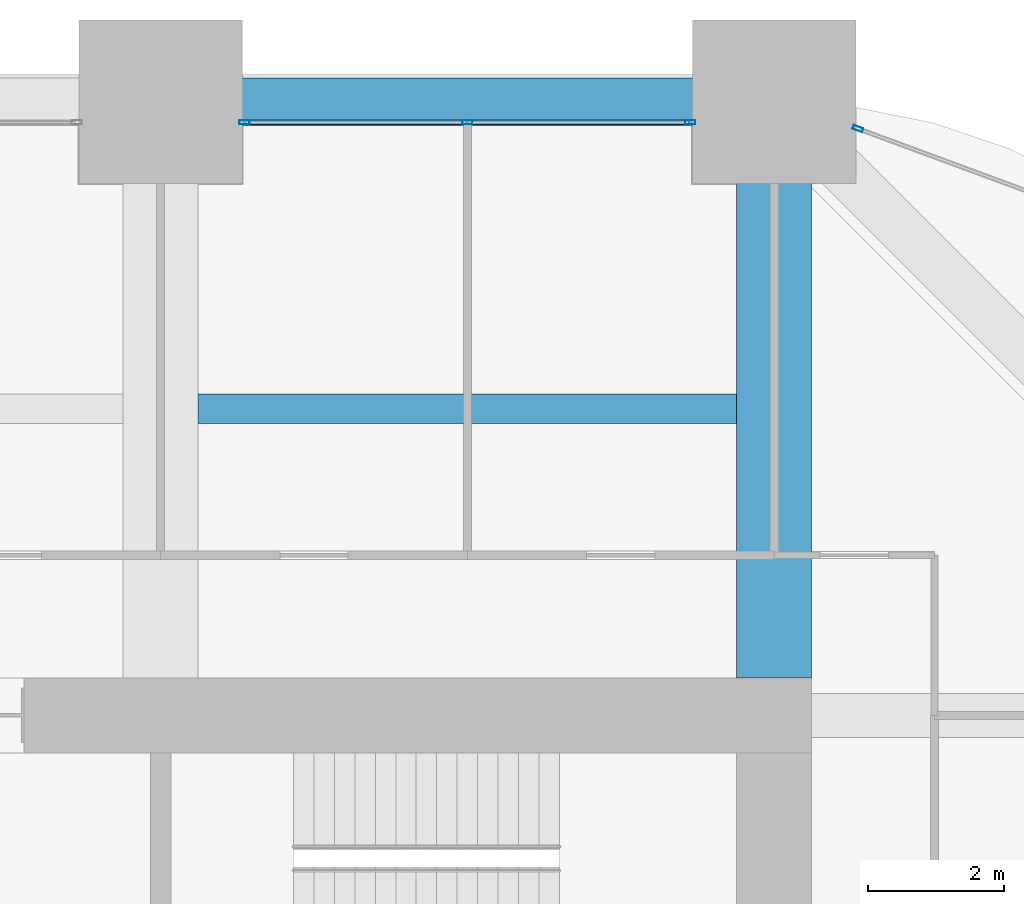
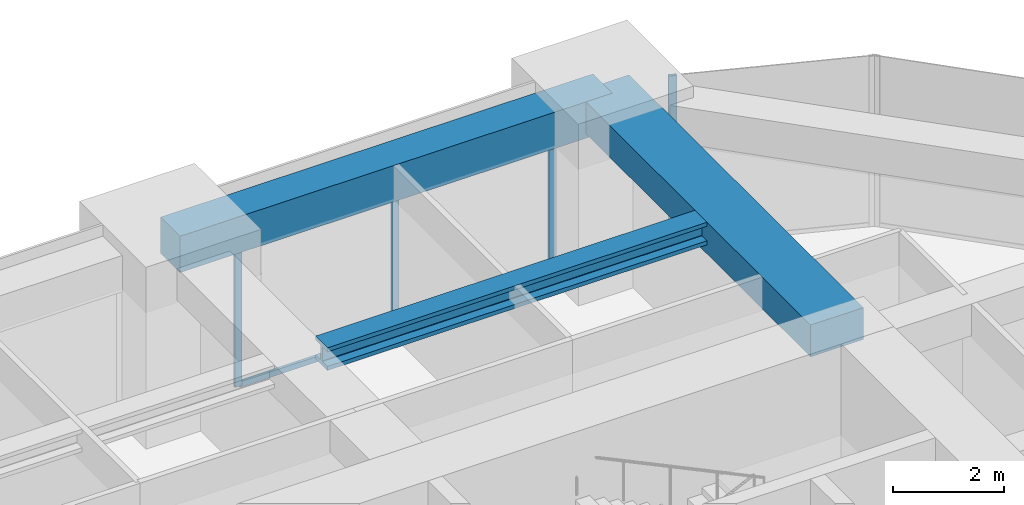
# One storey, part 26 of 32: 5 members, 3 beams, 2 elements without a shape of their own.
"""IFC4 building model written with IfcOpenShell, lengths in metres."""

from ifc_helpers import new_model, si_unit, direction, frame, origin, origin_2d, place, context, subcontext, project, spatial, rectangle, hollow_rectangle, i_section, extrude, material, material_profile, profile_set, type_object, element, aggregate, save


model = new_model("IFC4")

# Units and contexts
model_context = context("Model", 3, precision=1e-05, world=origin(), true_north=direction((0.0, 1.0)))
body_context = subcontext(model_context, "Body", "Model", "MODEL_VIEW")
ifc_project = project(units=[si_unit("LENGTHUNIT", "METRE"), si_unit("AREAUNIT", "SQUARE_METRE"), si_unit("VOLUMEUNIT", "CUBIC_METRE"), si_unit("PLANEANGLEUNIT", "RADIAN"), si_unit("MASSUNIT", "GRAM", prefix="KILO")], contexts=[model_context])

# Site, building, storey
site_placement = place(None, origin())
site = spatial("IfcSite", under=ifc_project, at=site_placement, CompositionType="ELEMENT")
building_placement = place(site_placement, origin())
building = spatial("IfcBuilding", under=site, at=building_placement, Name="Zorevar Civic Tower", CompositionType="ELEMENT")
storey_placement = place(building_placement, frame((0.0, 0.0, 202.199951171875)))
storey = spatial("IfcBuildingStorey", under=building, at=storey_placement, Name="L49", CompositionType="ELEMENT", Elevation=202.199951171875)

# Beam
ifc_material_1 = material(Name="Concrete C50/60", Category="concrete")
ifc_material_profile_1 = material_profile(ifc_material_1, rectangle(XDim=1.10009765625, YDim=0.699951171875, at=origin_2d()), Name="RC 1100x700")
ifc_profile_set_1 = profile_set([ifc_material_profile_1], Name="Concrete C50/60")
beam_type_1 = type_object("IfcBeamType", Name="Beam RC 1100x700", PredefinedType="BEAM", material=ifc_profile_set_1)
beam_1_placement = place(storey_placement, frame((45.0, 36.550048828125, 3.400146484375), z_axis=(0.0, 1.0, 0.0), x_axis=(-1.0, 0.0, 0.0)))
element("IfcBeam", 1, at=beam_1_placement, inside=storey, type_object=beam_type_1, Name="Girder L50", PredefinedType="BEAM", context=body_context, shape_type="SweptSolid", body=[
    extrude(rectangle(XDim=1.10009765625, YDim=0.699951171875, at=origin_2d()), origin(), (0.0, 0.0, 1.0), 8.449951171875),
])

# Curtain wall, members
ifc_material_2 = material(Name="Dark grey solar-control glass in black aluminium frame", Category="aluminium")
curtain_wall_type = type_object("IfcCurtainWallType", Name="Curtain wall CW4 high zone", PredefinedType="NOTDEFINED", material=ifc_material_2)
curtain_wall_1_placement = place(storey_placement, origin())
curtain_wall_1 = element("IfcCurtainWall", 2, at=curtain_wall_1_placement, inside=storey, type_object=curtain_wall_type, Name="CW4 L49", PredefinedType="NOTDEFINED")
ifc_material_3 = material(Name="Aluminium, black anodised", Category="aluminium")
ifc_material_profile_2 = material_profile(ifc_material_3, hollow_rectangle(XDim=0.06005859375, YDim=0.14990234375, WallThickness=0.00390625, at=origin_2d()), Name="AL 150x60x4")
ifc_profile_set_2 = profile_set([ifc_material_profile_2], Name="Aluminium, black anodised")
member_type_1 = type_object("IfcMemberType", Name="CW4 mullion AL 150x60x4", PredefinedType="MULLION", material=ifc_profile_set_2)
member_1_placement = place(storey_placement, frame((37.22998046875, 44.699951171875, 0.0), z_axis=(0.0, 0.0, 1.0), x_axis=(0.0, 1.0, 0.0)))
member_1 = element("IfcMember", 3, at=member_1_placement, type_object=member_type_1, Name="CW4 mullion 1", PredefinedType="MULLION", context=body_context, shape_type="SweptSolid", body=[
    extrude(hollow_rectangle(XDim=0.06005859375, YDim=0.14990234375, WallThickness=0.00390625, at=origin_2d()), origin(), (0.0, 0.0, 1.0), 2.949951171875),
])
member_2_placement = place(storey_placement, frame((40.5, 44.699951171875, 0.06005859375), z_axis=(0.0, 0.0, 1.0), x_axis=(0.0, 1.0, 0.0)))
member_2 = element("IfcMember", 4, at=member_2_placement, type_object=member_type_1, Name="CW4 mullion 2", PredefinedType="MULLION", context=body_context, shape_type="SweptSolid", body=[
    extrude(hollow_rectangle(XDim=0.06005859375, YDim=0.14990234375, WallThickness=0.00390625, at=origin_2d()), origin(), (0.0, 0.0, 1.0), 2.889892578125),
])
member_3_placement = place(storey_placement, frame((43.77001953125, 44.699951171875, 0.0), z_axis=(0.0, 0.0, 1.0), x_axis=(0.0, 1.0, 0.0)))
member_3 = element("IfcMember", 5, at=member_3_placement, type_object=member_type_1, Name="CW4 mullion 3", PredefinedType="MULLION", context=body_context, shape_type="SweptSolid", body=[
    extrude(hollow_rectangle(XDim=0.06005859375, YDim=0.14990234375, WallThickness=0.00390625, at=origin_2d()), origin(), (0.0, 0.0, 1.0), 2.949951171875),
])

# Curtain wall, member
curtain_wall_2_placement = place(storey_placement, origin())
curtain_wall_2 = element("IfcCurtainWall", 6, at=curtain_wall_2_placement, inside=storey, type_object=curtain_wall_type, Name="CW4 L49", PredefinedType="NOTDEFINED")
member_4_placement = place(storey_placement, frame((46.22802734375, 44.6064453125, 0.0), z_axis=(0.0, 0.0, 1.0), x_axis=(-0.346704012033, -0.937974588163, 0.0)))
member_4 = element("IfcMember", 7, at=member_4_placement, type_object=member_type_1, Name="CW4 mullion 2", PredefinedType="MULLION", context=body_context, shape_type="SweptSolid", body=[
    extrude(hollow_rectangle(XDim=0.06005859375, YDim=0.14990234375, WallThickness=0.00390625, at=origin_2d()), origin(), (0.0, 0.0, 1.0), 3.75),
])
aggregate(curtain_wall_2, [member_4])

# Member
ifc_material_4 = material(Name="Aluminium, black anodised", Category="aluminium")
ifc_material_profile_3 = material_profile(ifc_material_4, hollow_rectangle(XDim=0.06005859375, YDim=0.1201171875, WallThickness=0.0029296875, at=origin_2d()), Name="AL 120x60x3")
ifc_profile_set_3 = profile_set([ifc_material_profile_3], Name="Aluminium, black anodised")
member_type_2 = type_object("IfcMemberType", Name="CW4 transom AL 120x60x3", PredefinedType="USERDEFINED", material=ifc_profile_set_3)
member_5_placement = place(storey_placement, frame((37.260009765625, 44.699951171875, 0.030029296875), z_axis=(1.0, 0.0, 0.0), x_axis=(0.0, 1.0, 0.0)))
member_5 = element("IfcMember", 8, at=member_5_placement, type_object=member_type_2, Name="CW4 sill transom", ObjectType="TRANSOM", PredefinedType="USERDEFINED", context=body_context, shape_type="SweptSolid", body=[
    extrude(hollow_rectangle(XDim=0.06005859375, YDim=0.1201171875, WallThickness=0.0029296875, at=origin_2d()), origin(), (0.0, 0.0, 1.0), 6.47998046875),
])

aggregate(curtain_wall_1, [member_1, member_2, member_3, member_5])

# Beams
ifc_material_5 = material(Name="Steel S460M (HISTAR 460)", Category="steel")
ifc_material_profile_4 = material_profile(ifc_material_5, i_section(OverallWidth=0.431884765625, OverallDepth=0.498046875, WebThickness=0.0556640625, FlangeThickness=0.0888671875, FilletRadius=0.014892578125, at=origin_2d()), Name="HD 400x744")
ifc_profile_set_4 = profile_set([ifc_material_profile_4], Name="Steel S460M (HISTAR 460)")
beam_type_2 = type_object("IfcBeamType", Name="Core bay beam HD 400x744", PredefinedType="BEAM", material=ifc_profile_set_4)
beam_2_placement = place(storey_placement, frame((36.550048828125, 40.5, 3.5009765625), z_axis=(1.0, 0.0, 0.0), x_axis=(0.0, 1.0, 0.0)))
element("IfcBeam", 9, at=beam_2_placement, inside=storey, type_object=beam_type_2, Name="Secondary beam L50", PredefinedType="BEAM", context=body_context, shape_type="SweptSolid", body=[
    extrude(i_section(OverallWidth=0.431884765625, OverallDepth=0.498046875, WebThickness=0.0556640625, FlangeThickness=0.0888671875, FilletRadius=0.014892578125, at=origin_2d()), origin(), (0.0, 0.0, 1.0), 7.89990234375),
])
ifc_material_6 = material(Name="Concrete C50/60", Category="concrete")
ifc_material_profile_5 = material_profile(ifc_material_6, rectangle(XDim=0.699951171875, YDim=0.800048828125, at=origin_2d()), Name="RC 700x800")
ifc_profile_set_5 = profile_set([ifc_material_profile_5], Name="Concrete C50/60")
beam_type_3 = type_object("IfcBeamType", Name="Edge beam RC 700x800", PredefinedType="SPANDREL", material=ifc_profile_set_5)
beam_3_placement = place(storey_placement, frame((36.0, 45.0, 3.35009765625), z_axis=(1.0, 0.0, 0.0), x_axis=(0.0, 1.0, 0.0)))
element("IfcBeam", 10, at=beam_3_placement, inside=storey, type_object=beam_type_3, Name="Edge beam L50", PredefinedType="SPANDREL", context=body_context, shape_type="SweptSolid", body=[
    extrude(rectangle(XDim=0.699951171875, YDim=0.800048828125, at=origin_2d()), origin(), (0.0, 0.0, 1.0), 9.0),
])

save(model, "model.ifc")
